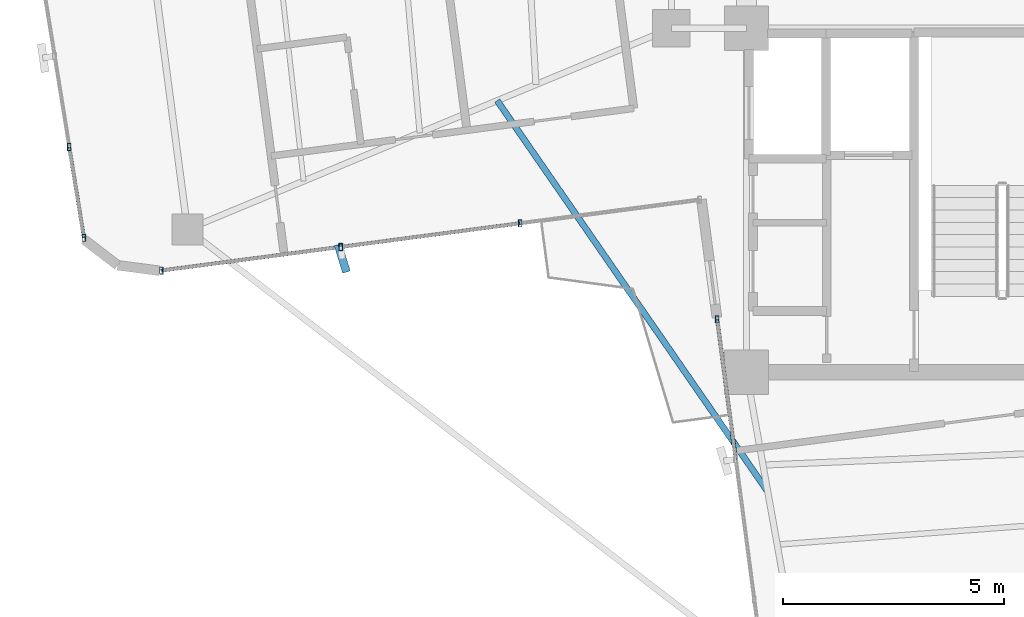
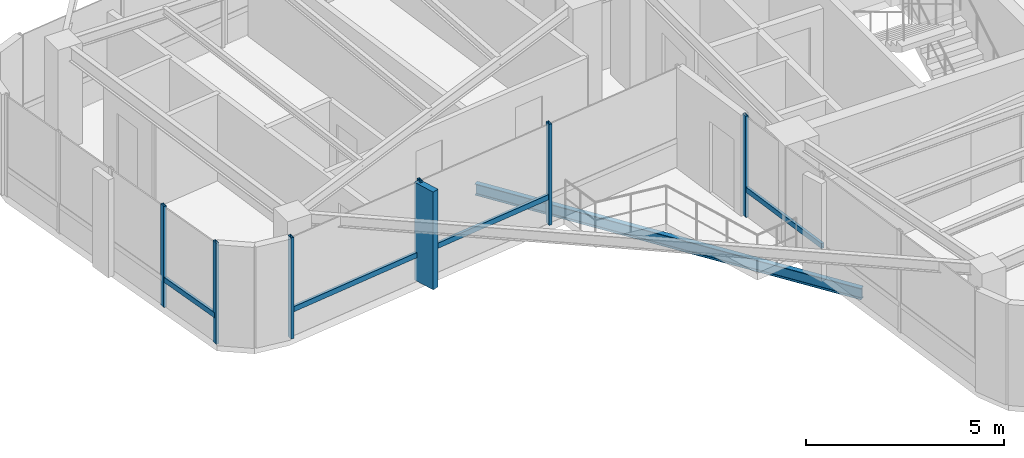
# One storey, part 2 of 22: 11 members, 1 beam, 3 elements without a shape of their own.
"""IFC4 building model written with IfcOpenShell, lengths in metres."""

from ifc_helpers import new_model, si_unit, direction, frame, origin, origin_2d, place, context, subcontext, project, spatial, rectangle, hollow_rectangle, i_section, extrude, source, transform, mapped, material, material_profile, profile_set, type_object, element, aggregate, save


model = new_model("IFC4")

# Units and contexts
model_context = context("Model", 3, precision=1e-05, world=origin(), true_north=direction((0.0, 1.0)))
body_context = subcontext(model_context, "Body", "Model", "MODEL_VIEW")
ifc_project = project(units=[si_unit("LENGTHUNIT", "METRE"), si_unit("AREAUNIT", "SQUARE_METRE"), si_unit("VOLUMEUNIT", "CUBIC_METRE"), si_unit("PLANEANGLEUNIT", "RADIAN"), si_unit("MASSUNIT", "GRAM", prefix="KILO")], contexts=[model_context])

# Site, building, storey
site_placement = place(None, origin())
site = spatial("IfcSite", under=ifc_project, at=site_placement, CompositionType="ELEMENT")
building_placement = place(site_placement, origin())
building = spatial("IfcBuilding", under=site, at=building_placement, Name="Sahyath Konkavel Grand Hotel", CompositionType="ELEMENT")
storey_placement = place(building_placement, frame((0.0, 0.0, 272.449951171875)))
storey = spatial("IfcBuildingStorey", under=building, at=storey_placement, Name="L76", CompositionType="ELEMENT", Elevation=272.449951171875)

# Curtain wall, member
ifc_material_1 = material(Name="Anodised Bronze Aluminium & Low-E Glazing", Category="aluminium")
curtain_wall_type = type_object("IfcCurtainWallType", Name="CW-ZONE4", PredefinedType="NOTDEFINED", material=ifc_material_1)
curtain_wall_1_placement = place(storey_placement, origin())
curtain_wall_1 = element("IfcCurtainWall", 1, at=curtain_wall_1_placement, inside=storey, type_object=curtain_wall_type, Name="L76 Unitised Curtain Wall F23", PredefinedType="NOTDEFINED")
ifc_material_2 = material(Name="Warm Buff Sandstone Cladding on Concrete C50/60", Category="masonry")
ifc_material_profile_1 = material_profile(ifc_material_2, rectangle(XDim=0.179931640625, YDim=0.64990234375, at=origin_2d()), Name="FIN 180x650")
ifc_profile_set_1 = profile_set([ifc_material_profile_1], Name="Warm Buff Sandstone Cladding on Concrete C50/60")
member_type_1 = type_object("IfcMemberType", Name="FIN-SANDSTONE-650", PredefinedType="MULLION", material=ifc_profile_set_1)
shared_shape_1 = source(origin(), body_context, "Body", "SweptSolid", [
    extrude(rectangle(XDim=0.179931640625, YDim=0.64990234375, at=origin_2d()), origin(), (0.0, 0.0, 1.0), 3.010009765625),
])
member_1_placement = place(storey_placement, frame((-12.96337890625, -7.6171875, 0.050048828125), z_axis=(0.0, 0.0, 1.0), x_axis=(0.956151539415, 0.292872384621, 0.0)))
member_1 = element("IfcMember", 2, at=member_1_placement, type_object=member_type_1, Name="L76 Sandstone Vertical Solar Fin FIN F23-1", PredefinedType="MULLION", context=body_context, shape_type="MappedRepresentation", body=[
    mapped(shared_shape_1, transform((0.0, 0.0, 0.0), scale=1.0)),
])

# Curtain wall, members
curtain_wall_2_placement = place(storey_placement, origin())
curtain_wall_2 = element("IfcCurtainWall", 3, at=curtain_wall_2_placement, inside=storey, type_object=curtain_wall_type, Name="L76 Unitised Curtain Wall F20", PredefinedType="NOTDEFINED")
ifc_material_3 = material(Name="Anodised Bronze Aluminium", Category="aluminium")
ifc_material_profile_2 = material_profile(ifc_material_3, hollow_rectangle(XDim=0.080078125, YDim=0.159912109375, WallThickness=0.006103515625, at=origin_2d()), Name="RHS 160x80x6")
ifc_profile_set_2 = profile_set([ifc_material_profile_2], Name="Anodised Bronze Aluminium")
member_type_2 = type_object("IfcMemberType", Name="CW-MUL-160", PredefinedType="MULLION", material=ifc_profile_set_2)
shared_shape_2 = source(origin(), body_context, "Body", "SweptSolid", [
    extrude(hollow_rectangle(XDim=0.080078125, YDim=0.159912109375, WallThickness=0.006103515625, at=origin_2d()), origin(), (0.0, 0.0, 1.0), 3.110107421875),
])
member_2_placement = place(storey_placement, frame((-19.15380859375, -5.09228515625, 0.0), z_axis=(0.0, 0.0, 1.0), x_axis=(1.0, 0.0, 0.0)))
member_2 = element("IfcMember", 4, at=member_2_placement, type_object=member_type_2, Name="L76 Curtain Wall Mullion F20-3", PredefinedType="MULLION", context=body_context, shape_type="MappedRepresentation", body=[
    mapped(shared_shape_2, transform((0.0, 0.0, 0.0), scale=1.0)),
])
member_3_placement = place(storey_placement, frame((-18.82080078125, -7.15283203125, 0.0), z_axis=(0.0, 0.0, 1.0), x_axis=(1.0, 0.0, 0.0)))
member_3 = element("IfcMember", 5, at=member_3_placement, type_object=member_type_2, Name="L76 Curtain Wall Mullion F20-4", PredefinedType="MULLION", context=body_context, shape_type="MappedRepresentation", body=[
    mapped(shared_shape_2, transform((0.0, 0.0, 0.0), scale=1.0)),
])

# Member
member_4_placement = place(storey_placement, frame((-17.0654296875, -7.89501953125, 0.0), z_axis=(0.0, 0.0, 1.0), x_axis=(1.0, 0.0, 0.0)))
member_4 = element("IfcMember", 6, at=member_4_placement, type_object=member_type_2, Name="L76 Curtain Wall Mullion F23-0", PredefinedType="MULLION", context=body_context, shape_type="MappedRepresentation", body=[
    mapped(shared_shape_2, transform((0.0, 0.0, 0.0), scale=1.0)),
])

member_5_placement = place(storey_placement, frame((-12.997314453125, -7.359619140625, 0.0), z_axis=(0.0, 0.0, 1.0), x_axis=(1.0, 0.0, 0.0)))
member_5 = element("IfcMember", 7, at=member_5_placement, type_object=member_type_2, Name="L76 Curtain Wall Mullion F23-1", PredefinedType="MULLION", context=body_context, shape_type="MappedRepresentation", body=[
    mapped(shared_shape_2, transform((0.0, 0.0, 0.0), scale=1.0)),
])

member_6_placement = place(storey_placement, frame((-8.928955078125, -6.82373046875, 0.0), z_axis=(0.0, 0.0, 1.0), x_axis=(1.0, 0.0, 0.0)))
member_6 = element("IfcMember", 8, at=member_6_placement, type_object=member_type_2, Name="L76 Curtain Wall Mullion F23-2", PredefinedType="MULLION", context=body_context, shape_type="MappedRepresentation", body=[
    mapped(shared_shape_2, transform((0.0, 0.0, 0.0), scale=1.0)),
])

# Curtain wall, members
curtain_wall_3_placement = place(storey_placement, origin())
curtain_wall_3 = element("IfcCurtainWall", 9, at=curtain_wall_3_placement, inside=storey, type_object=curtain_wall_type, Name="L76 Unitised Curtain Wall F24", PredefinedType="NOTDEFINED")
member_7_placement = place(storey_placement, frame((-4.46337890625, -8.99951171875, 0.0), z_axis=(0.0, 0.0, 1.0), x_axis=(1.0, 0.0, 0.0)))
member_7 = element("IfcMember", 10, at=member_7_placement, type_object=member_type_2, Name="L76 Curtain Wall Mullion F24-0", PredefinedType="MULLION", context=body_context, shape_type="MappedRepresentation", body=[
    mapped(shared_shape_2, transform((0.0, 0.0, 0.0), scale=1.0)),
])
ifc_material_profile_3 = material_profile(ifc_material_3, hollow_rectangle(XDim=0.080078125, YDim=0.159912109375, WallThickness=0.006103515625, at=origin_2d()), Name="RHS 160x80x6")
ifc_profile_set_3 = profile_set([ifc_material_profile_3], Name="Anodised Bronze Aluminium")
member_type_3 = type_object("IfcMemberType", Name="CW-TRN-160", PredefinedType="USERDEFINED", material=ifc_profile_set_3)
shared_shape_3 = source(origin(), body_context, "Body", "SweptSolid", [
    extrude(hollow_rectangle(XDim=0.080078125, YDim=0.159912109375, WallThickness=0.006103515625, at=origin_2d()), origin(), (0.0, 0.0, 1.0), 3.203369140625),
])
member_8_placement = place(storey_placement, frame((-4.46337890625, -8.99951171875, 0.85009765625), z_axis=(0.130476198668, -0.991451441867, 0.0), x_axis=(0.991451441867, 0.130476198668, 0.0)))
member_8 = element("IfcMember", 11, at=member_8_placement, type_object=member_type_3, Name="L76 Curtain Wall Transom F24-0-spandrel", ObjectType="TRANSOM", PredefinedType="USERDEFINED", context=body_context, shape_type="MappedRepresentation", body=[
    mapped(shared_shape_3, transform((0.0, 0.0, 0.0), scale=1.0)),
])
aggregate(curtain_wall_3, [member_7, member_8])

# Member
shared_shape_4 = source(origin(), body_context, "Body", "SweptSolid", [
    extrude(hollow_rectangle(XDim=0.080078125, YDim=0.159912109375, WallThickness=0.006103515625, at=origin_2d()), origin(), (0.0, 0.0, 1.0), 2.08740234375),
])
member_9_placement = place(storey_placement, frame((-19.15380859375, -5.09228515625, 0.85009765625), z_axis=(0.159541334591, -0.98719124923, 0.0), x_axis=(0.98719124923, 0.159541334591, 0.0)))
member_9 = element("IfcMember", 12, at=member_9_placement, type_object=member_type_3, Name="L76 Curtain Wall Transom F20-3-spandrel", ObjectType="TRANSOM", PredefinedType="USERDEFINED", context=body_context, shape_type="MappedRepresentation", body=[
    mapped(shared_shape_4, transform((0.0, 0.0, 0.0), scale=1.0)),
])

aggregate(curtain_wall_2, [member_2, member_3, member_9])

shared_shape_5 = source(origin(), body_context, "Body", "SweptSolid", [
    extrude(hollow_rectangle(XDim=0.080078125, YDim=0.159912109375, WallThickness=0.006103515625, at=origin_2d()), origin(), (0.0, 0.0, 1.0), 4.103271484375),
])
member_10_placement = place(storey_placement, frame((-17.0654296875, -7.89501953125, 0.85009765625), z_axis=(0.991450447248, 0.130483756275, 0.0), x_axis=(-0.130483756275, 0.991450447248, 0.0)))
member_10 = element("IfcMember", 13, at=member_10_placement, type_object=member_type_3, Name="L76 Curtain Wall Transom F23-0-spandrel", ObjectType="TRANSOM", PredefinedType="USERDEFINED", context=body_context, shape_type="MappedRepresentation", body=[
    mapped(shared_shape_5, transform((0.0, 0.0, 0.0), scale=1.0)),
])

shared_shape_6 = source(origin(), body_context, "Body", "SweptSolid", [
    extrude(hollow_rectangle(XDim=0.080078125, YDim=0.159912109375, WallThickness=0.006103515625, at=origin_2d()), origin(), (0.0, 0.0, 1.0), 4.103515625),
])
member_11_placement = place(storey_placement, frame((-12.997314453125, -7.359619140625, 0.85009765625), z_axis=(0.991436060505, 0.130593024052, 0.0), x_axis=(-0.130593024052, 0.991436060505, 0.0)))
member_11 = element("IfcMember", 14, at=member_11_placement, type_object=member_type_3, Name="L76 Curtain Wall Transom F23-1-spandrel", ObjectType="TRANSOM", PredefinedType="USERDEFINED", context=body_context, shape_type="MappedRepresentation", body=[
    mapped(shared_shape_6, transform((0.0, 0.0, 0.0), scale=1.0)),
])

aggregate(curtain_wall_1, [member_4, member_5, member_1, member_6, member_10, member_11])

# Beam
ifc_material_4 = material(Name="Steel E350", Category="steel")
ifc_material_profile_4 = material_profile(ifc_material_4, i_section(OverallWidth=0.139892578125, OverallDepth=0.35009765625, WebThickness=0.008056640625, FlangeThickness=0.01416015625, FilletRadius=0.013916015625, at=origin_2d()), Name="ISMB 350")
ifc_profile_set_4 = profile_set([ifc_material_profile_4], Name="Steel E350")
beam_type = type_object("IfcBeamType", Name="BM-BALC-CANT", PredefinedType="BEAM", material=ifc_profile_set_4)
shared_shape_7 = source(origin(), body_context, "Body", "SweptSolid", [
    extrude(i_section(OverallWidth=0.139892578125, OverallDepth=0.35009765625, WebThickness=0.008056640625, FlangeThickness=0.01416015625, FilletRadius=0.013916015625, at=origin_2d()), origin(), (0.0, 0.0, 1.0), 10.778076171875),
])
beam_placement = place(storey_placement, frame((-9.4501953125, -4.04150390625, -0.4150390625), z_axis=(0.569013254295, -0.822328350743, 0.0), x_axis=(0.822328350743, 0.569013254295, 0.0)))
element("IfcBeam", 15, at=beam_placement, inside=storey, type_object=beam_type, Name="L76 Balcony Cantilever Support Beam SW", PredefinedType="BEAM", context=body_context, shape_type="MappedRepresentation", body=[
    mapped(shared_shape_7, transform((0.0, 0.0, 0.0), scale=1.0)),
])

save(model, "model.ifc")
